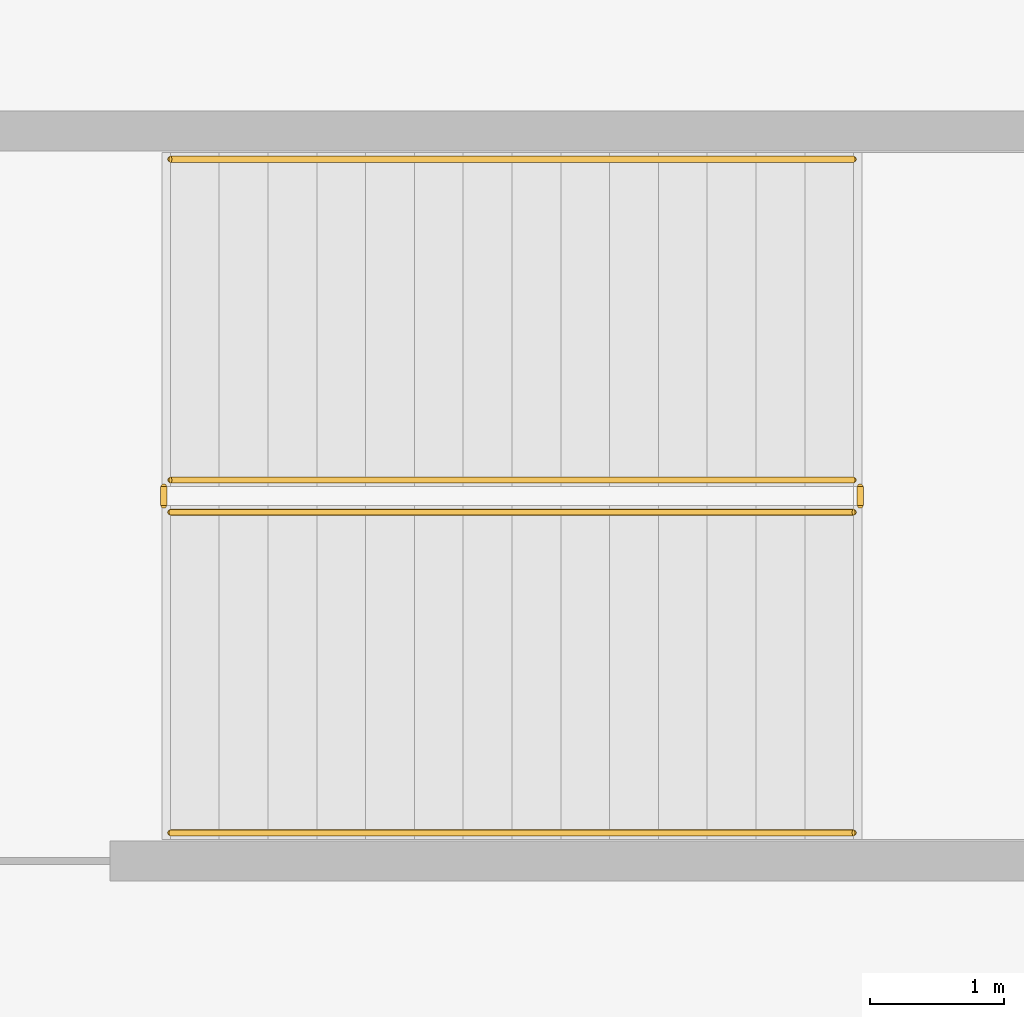
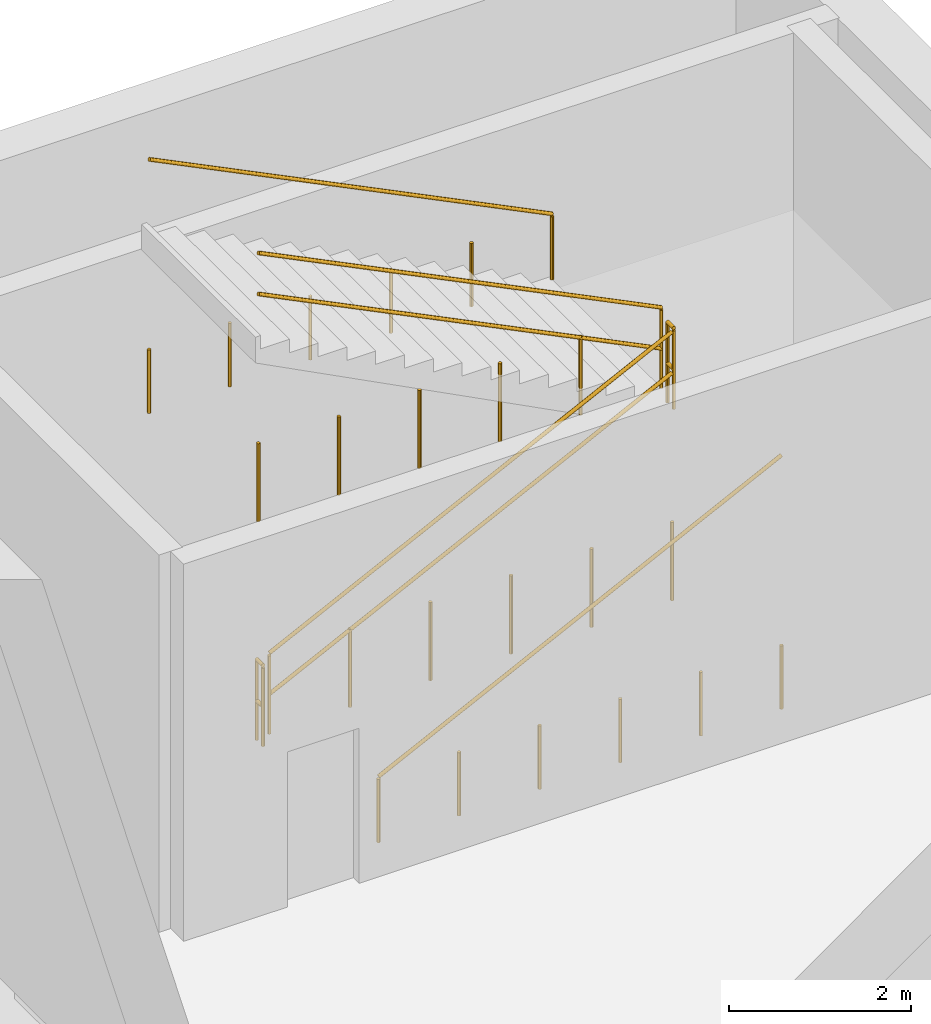
# One storey, part 42 of 44: 6 railings.
"""IFC4 building model written with IfcOpenShell, lengths in metres."""

from ifc_helpers import new_model, si_unit, direction, frame, origin, origin_2d, place, context, subcontext, project, spatial, circle, extrude, material, type_object, element, save


model = new_model("IFC4")

# Units and contexts
model_context = context("Model", 3, precision=1e-05, world=origin(), true_north=direction((0.0, 1.0)))
body_context = subcontext(model_context, "Body", "Model", "MODEL_VIEW")
ifc_project = project(units=[si_unit("LENGTHUNIT", "METRE"), si_unit("AREAUNIT", "SQUARE_METRE"), si_unit("VOLUMEUNIT", "CUBIC_METRE"), si_unit("PLANEANGLEUNIT", "RADIAN"), si_unit("MASSUNIT", "GRAM", prefix="KILO")], contexts=[model_context])

# Site, building, storey
site_placement = place(None, origin())
site = spatial("IfcSite", under=ifc_project, at=site_placement, CompositionType="ELEMENT")
building_placement = place(site_placement, origin())
building = spatial("IfcBuilding", under=site, at=building_placement, Name="Danafjord Basin Convention Centre", CompositionType="ELEMENT")
storey_placement = place(building_placement, frame((0.0, 0.0, -5.39990234375)))
storey = spatial("IfcBuildingStorey", under=building, at=storey_placement, Name="B1", CompositionType="ELEMENT", Elevation=-5.39990234375)

# Railings
ifc_material_1 = material(Name="Galvanised steel S355", Category="steel")
railing_type_1 = type_object("IfcRailingType", Name="RL-GD-WELL", PredefinedType="BALUSTRADE", material=ifc_material_1)
railing_1_placement = place(storey_placement, frame((138.929931640625, 120.81005859375, 0.179931640625)))
element("IfcRailing", 1, at=railing_1_placement, inside=storey, type_object=railing_type_1, Name="B1 ST-12 stair guard 1", PredefinedType="BALUSTRADE", context=body_context, shape_type="SweptSolid", body=[
    extrude(circle(Radius=0.02392578125, at=origin_2d()), frame((0.0, 0.0, 1.076171875), z_axis=(0.896873198966, 0.0, 0.442287762635), x_axis=(0.0, 1.0, 0.0)), (0.0, 0.0, 1.0), 5.69775390625),
    extrude(circle(Radius=0.02392578125, at=origin_2d()), frame((0.0, 0.0, 0.52587890625), z_axis=(0.896873198966, 0.0, 0.442287762635), x_axis=(0.0, 1.0, 0.0)), (0.0, 0.0, 1.0), 5.69775390625),
    extrude(circle(Radius=0.02099609375, at=origin_2d()), origin(), (0.0, 0.0, 1.0), 1.050048828125),
    extrude(circle(Radius=0.02099609375, at=origin_2d()), frame((1.02197265625, 0.0, 0.0)), (0.0, 0.0, 1.0), 1.050048828125),
    extrude(circle(Radius=0.02099609375, at=origin_2d()), frame((2.0439453125, 0.0, 0.0)), (0.0, 0.0, 1.0), 1.050048828125),
    extrude(circle(Radius=0.02099609375, at=origin_2d()), frame((3.066162109375, 0.0, 0.0)), (0.0, 0.0, 1.0), 1.050048828125),
    extrude(circle(Radius=0.02099609375, at=origin_2d()), frame((4.088134765625, 0.0, 0.0)), (0.0, 0.0, 1.0), 1.050048828125),
    extrude(circle(Radius=0.02099609375, at=origin_2d()), frame((5.110107421875, 0.0, 0.0)), (0.0, 0.0, 1.0), 1.050048828125),
])
railing_2_placement = place(storey_placement, frame((144.090087890625, 120.860107421875, 2.699951171875)))
element("IfcRailing", 2, at=railing_2_placement, inside=storey, type_object=railing_type_1, Name="B1 ST-12 stair guard 2", PredefinedType="BALUSTRADE", context=body_context, shape_type="SweptSolid", body=[
    extrude(circle(Radius=0.02392578125, at=origin_2d()), frame((0.0, 0.0, 1.076171875), z_axis=(0.0, 1.0, 0.0), x_axis=(-1.0, 0.0, 0.0)), (0.0, 0.0, 1.0), 0.139892578125),
    extrude(circle(Radius=0.02392578125, at=origin_2d()), frame((0.0, 0.0, 0.52587890625), z_axis=(0.0, 1.0, 0.0), x_axis=(-1.0, 0.0, 0.0)), (0.0, 0.0, 1.0), 0.139892578125),
    extrude(circle(Radius=0.02099609375, at=origin_2d()), origin(), (0.0, 0.0, 1.0), 1.050048828125),
    extrude(circle(Radius=0.02099609375, at=origin_2d()), frame((0.0, 0.139892578125, 0.0)), (0.0, 0.0, 1.0), 1.050048828125),
])
railing_3_placement = place(storey_placement, frame((144.0400390625, 121.050048828125, 2.8798828125)))
element("IfcRailing", 3, at=railing_3_placement, inside=storey, type_object=railing_type_1, Name="B1 ST-12 stair guard 3", PredefinedType="BALUSTRADE", context=body_context, shape_type="SweptSolid", body=[
    extrude(circle(Radius=0.02392578125, at=origin_2d()), frame((0.0, 0.0, 1.076171875), z_axis=(-0.896873198966, 0.0, 0.442287762635), x_axis=(0.0, -1.0, 0.0)), (0.0, 0.0, 1.0), 5.69775390625),
    extrude(circle(Radius=0.02392578125, at=origin_2d()), frame((0.0, 0.0, 0.52587890625), z_axis=(-0.896873198966, 0.0, 0.442287762635), x_axis=(0.0, -1.0, 0.0)), (0.0, 0.0, 1.0), 5.69775390625),
    extrude(circle(Radius=0.02099609375, at=origin_2d()), origin(), (0.0, 0.0, 1.0), 1.050048828125),
    extrude(circle(Radius=0.02099609375, at=origin_2d()), frame((-1.02197265625, 0.0, 0.0)), (0.0, 0.0, 1.0), 1.050048828125),
    extrude(circle(Radius=0.02099609375, at=origin_2d()), frame((-2.0439453125, 0.0, 0.0)), (0.0, 0.0, 1.0), 1.050048828125),
    extrude(circle(Radius=0.02099609375, at=origin_2d()), frame((-3.066162109375, 0.0, 0.0)), (0.0, 0.0, 1.0), 1.050048828125),
    extrude(circle(Radius=0.02099609375, at=origin_2d()), frame((-4.088134765625, 0.0, 0.0)), (0.0, 0.0, 1.0), 1.050048828125),
    extrude(circle(Radius=0.02099609375, at=origin_2d()), frame((-5.110107421875, 0.0, 0.0)), (0.0, 0.0, 1.0), 1.050048828125),
])
railing_4_placement = place(storey_placement, frame((138.8798828125, 120.860107421875, 0.0)))
element("IfcRailing", 4, at=railing_4_placement, inside=storey, type_object=railing_type_1, Name="B1 ST-12 stair guard 4", PredefinedType="BALUSTRADE", context=body_context, shape_type="SweptSolid", body=[
    extrude(circle(Radius=0.02392578125, at=origin_2d()), frame((0.0, 0.0, 1.076171875), z_axis=(0.0, 1.0, 0.0), x_axis=(-1.0, 0.0, 0.0)), (0.0, 0.0, 1.0), 0.139892578125),
    extrude(circle(Radius=0.02392578125, at=origin_2d()), frame((0.0, 0.0, 0.52587890625), z_axis=(0.0, 1.0, 0.0), x_axis=(-1.0, 0.0, 0.0)), (0.0, 0.0, 1.0), 0.139892578125),
    extrude(circle(Radius=0.02099609375, at=origin_2d()), origin(), (0.0, 0.0, 1.0), 1.050048828125),
    extrude(circle(Radius=0.02099609375, at=origin_2d()), frame((0.0, 0.139892578125, 0.0)), (0.0, 0.0, 1.0), 1.050048828125),
])
ifc_material_2 = material(Name="Brushed stainless steel EN 1.4404", Category="steel")
railing_type_2 = type_object("IfcRailingType", Name="RL-HR-STAIR", PredefinedType="HANDRAIL", material=ifc_material_2)
railing_5_placement = place(storey_placement, frame((138.929931640625, 118.409912109375, 0.179931640625)))
element("IfcRailing", 5, at=railing_5_placement, inside=storey, type_object=railing_type_2, Name="B1 ST-12 stair handrail 1", PredefinedType="HANDRAIL", context=body_context, shape_type="SweptSolid", body=[
    extrude(circle(Radius=0.02392578125, at=origin_2d()), frame((0.0, 0.0, 0.8759765625), z_axis=(0.896873198966, 0.0, 0.442287762635), x_axis=(0.0, 1.0, 0.0)), (0.0, 0.0, 1.0), 5.69775390625),
    extrude(circle(Radius=0.02099609375, at=origin_2d()), origin(), (0.0, 0.0, 1.0), 0.849853515625),
    extrude(circle(Radius=0.02099609375, at=origin_2d()), frame((1.02197265625, 0.0, 0.0)), (0.0, 0.0, 1.0), 0.849853515625),
    extrude(circle(Radius=0.02099609375, at=origin_2d()), frame((2.0439453125, 0.0, 0.0)), (0.0, 0.0, 1.0), 0.849853515625),
    extrude(circle(Radius=0.02099609375, at=origin_2d()), frame((3.066162109375, 0.0, 0.0)), (0.0, 0.0, 1.0), 0.849853515625),
    extrude(circle(Radius=0.02099609375, at=origin_2d()), frame((4.088134765625, 0.0, 0.0)), (0.0, 0.0, 1.0), 0.849853515625),
    extrude(circle(Radius=0.02099609375, at=origin_2d()), frame((5.110107421875, 0.0, 0.0)), (0.0, 0.0, 1.0), 0.849853515625),
])
railing_6_placement = place(storey_placement, frame((144.0400390625, 123.449951171875, 2.8798828125)))
element("IfcRailing", 6, at=railing_6_placement, inside=storey, type_object=railing_type_2, Name="B1 ST-12 stair handrail 2", PredefinedType="HANDRAIL", context=body_context, shape_type="SweptSolid", body=[
    extrude(circle(Radius=0.02392578125, at=origin_2d()), frame((0.0, 0.0, 0.8759765625), z_axis=(-0.896873198966, 0.0, 0.442287762635), x_axis=(0.0, -1.0, 0.0)), (0.0, 0.0, 1.0), 5.69775390625),
    extrude(circle(Radius=0.02099609375, at=origin_2d()), origin(), (0.0, 0.0, 1.0), 0.849853515625),
    extrude(circle(Radius=0.02099609375, at=origin_2d()), frame((-1.02197265625, 0.0, 0.0)), (0.0, 0.0, 1.0), 0.849853515625),
    extrude(circle(Radius=0.02099609375, at=origin_2d()), frame((-2.0439453125, 0.0, 0.0)), (0.0, 0.0, 1.0), 0.849853515625),
    extrude(circle(Radius=0.02099609375, at=origin_2d()), frame((-3.066162109375, 0.0, 0.0)), (0.0, 0.0, 1.0), 0.849853515625),
    extrude(circle(Radius=0.02099609375, at=origin_2d()), frame((-4.088134765625, 0.0, 0.0)), (0.0, 0.0, 1.0), 0.849853515625),
    extrude(circle(Radius=0.02099609375, at=origin_2d()), frame((-5.110107421875, 0.0, 0.0)), (0.0, 0.0, 1.0), 0.849853515625),
])

save(model, "model.ifc")
